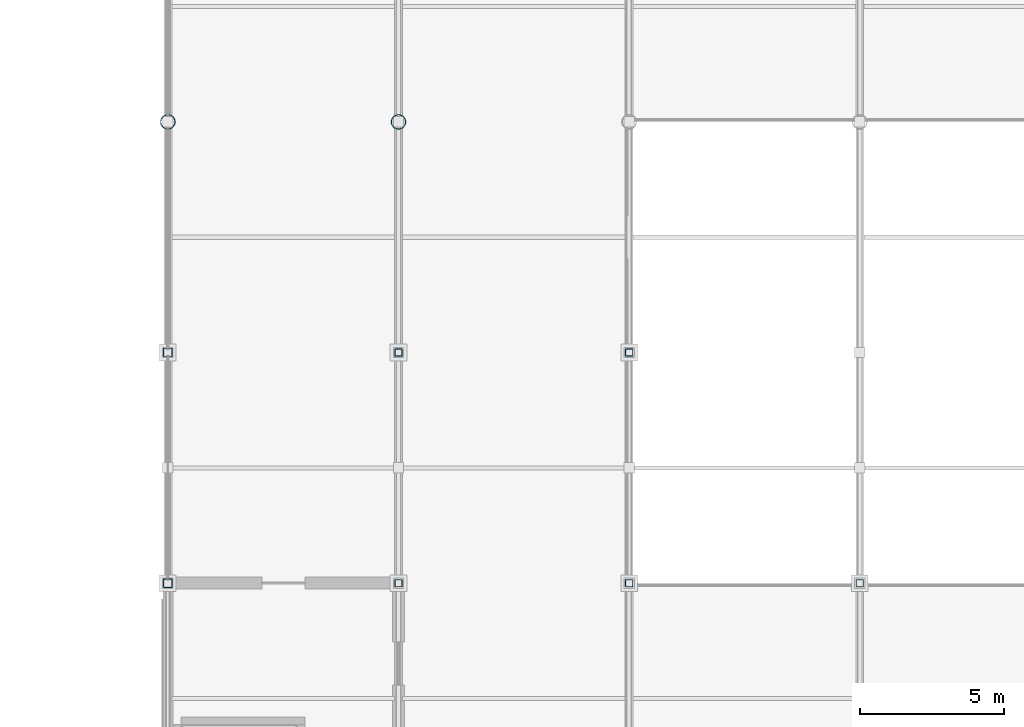
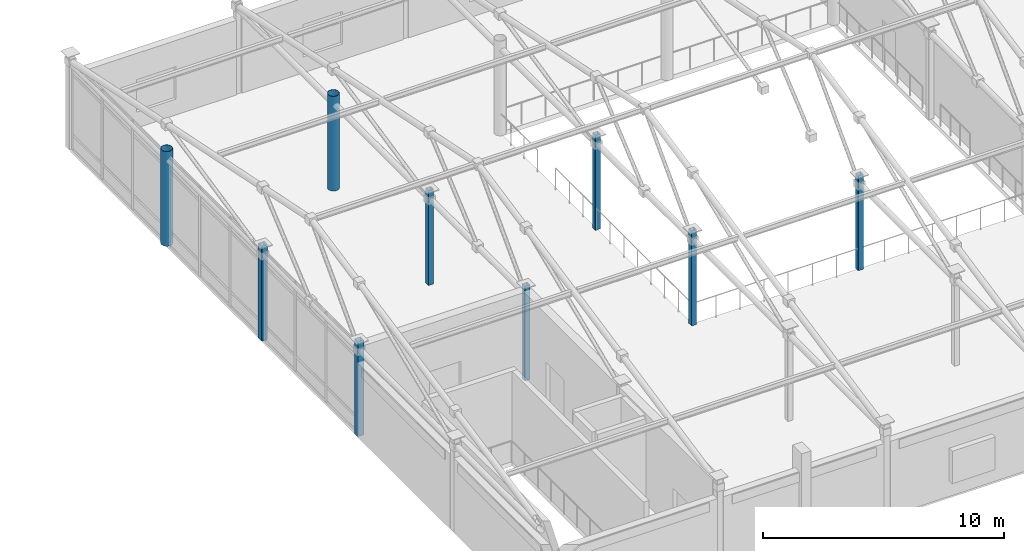
# One storey, part 2 of 117: 9 columns.
"""IFC4 building model written with IfcOpenShell, lengths in metres."""

from ifc_helpers import new_model, si_unit, direction, frame, origin, origin_2d, place, context, subcontext, project, spatial, hollow_rectangle, hollow_circle, extrude, material, material_profile, profile_set, type_object, element, save


model = new_model("IFC4")

# Units and contexts
model_context = context("Model", 3, precision=1e-05, world=origin(), true_north=direction((0.0, 1.0)))
body_context = subcontext(model_context, "Body", "Model", "MODEL_VIEW")
ifc_project = project(units=[si_unit("LENGTHUNIT", "METRE"), si_unit("AREAUNIT", "SQUARE_METRE"), si_unit("VOLUMEUNIT", "CUBIC_METRE"), si_unit("PLANEANGLEUNIT", "RADIAN"), si_unit("MASSUNIT", "GRAM", prefix="KILO")], contexts=[model_context])

# Site, building, storey
site_placement = place(None, origin())
site = spatial("IfcSite", under=ifc_project, at=site_placement, CompositionType="ELEMENT")
building_placement = place(site_placement, origin())
building = spatial("IfcBuilding", under=site, at=building_placement, Name="Solmirada Galleria", CompositionType="ELEMENT")
storey_placement = place(building_placement, frame((0.0, 0.0, 5.60009765625)))
storey = spatial("IfcBuildingStorey", under=building, at=storey_placement, Name="L01", CompositionType="ELEMENT", Elevation=5.60009765625)

# Columns
ifc_material = material(Name="Steel S355 / ASTM A500 Grade C", Category="steel")
ifc_material_profile_1 = material_profile(ifc_material, hollow_circle(Radius=0.25390625, WallThickness=0.01171875, at=origin_2d()), Name="HSS20.000X0.500")
ifc_profile_set_1 = profile_set([ifc_material_profile_1], Name="Steel S355 / ASTM A500 Grade C")
column_type_1 = type_object("IfcColumnType", Name="COL-CHS20", PredefinedType="COLUMN", material=ifc_profile_set_1)
for number, where, z_axis, x_axis, name in (
    (1, (40.0, 32.0, 0.0), (0.0, 0.0, 1.0), (1.0, 0.0, 0.0), "Structural column L01-0031"),
    (2, (48.0, 32.0, 0.0), (0.0, 0.0, 1.0), (1.0, 0.0, 0.0), "Structural column L01-0094"),
):
    element("IfcColumn", number, at=place(storey_placement, frame(where, z_axis=z_axis, x_axis=x_axis)), inside=storey, type_object=column_type_1, Name=name, PredefinedType="COLUMN", context=body_context, shape_type="SweptSolid", body=[
        extrude(hollow_circle(Radius=0.25390625, WallThickness=0.01171875, at=origin_2d()), origin(), (0.0, 0.0, 1.0), 4.7998046875),
    ])
ifc_material_profile_2 = material_profile(ifc_material, hollow_rectangle(XDim=0.25390625, YDim=0.25390625, WallThickness=0.0087890625, InnerFilletRadius=0.0087890625, OuterFilletRadius=0.017822265625, at=origin_2d()), Name="HSS10X10X3/8")
ifc_profile_set_2 = profile_set([ifc_material_profile_2], Name="Steel S355 / ASTM A500 Grade C")
column_type_2 = type_object("IfcColumnType", Name="COL-HSS10", PredefinedType="COLUMN", material=ifc_profile_set_2)
for number, where, z_axis, x_axis, name in (
    (3, (48.0, 16.0, 0.0), (0.0, 0.0, 1.0), (1.0, 0.0, 0.0), "Structural column L01-0088"),
    (4, (48.0, 24.0, 0.0), (0.0, 0.0, 1.0), (1.0, 0.0, 0.0), "Structural column L01-0091"),
    (5, (56.0, 16.0, 0.0), (0.0, 0.0, 1.0), (1.0, 0.0, 0.0), "Structural column L01-0155"),
    (6, (56.0, 24.0, 0.0), (0.0, 0.0, 1.0), (1.0, 0.0, 0.0), "Structural column L01-0158"),
    (7, (64.0, 16.0, 0.0), (0.0, 0.0, 1.0), (1.0, 0.0, 0.0), "Structural column L01-0222"),
):
    element("IfcColumn", number, at=place(storey_placement, frame(where, z_axis=z_axis, x_axis=x_axis)), inside=storey, type_object=column_type_2, Name=name, PredefinedType="COLUMN", context=body_context, shape_type="SweptSolid", body=[
        extrude(hollow_rectangle(XDim=0.25390625, YDim=0.25390625, WallThickness=0.0087890625, InnerFilletRadius=0.0087890625, OuterFilletRadius=0.017822265625, at=origin_2d()), origin(), (0.0, 0.0, 1.0), 4.7998046875),
    ])
ifc_material_profile_3 = material_profile(ifc_material, hollow_rectangle(XDim=0.304931640625, YDim=0.304931640625, WallThickness=0.01171875, InnerFilletRadius=0.01171875, OuterFilletRadius=0.023681640625, at=origin_2d()), Name="HSS12X12X1/2")
ifc_profile_set_3 = profile_set([ifc_material_profile_3], Name="Steel S355 / ASTM A500 Grade C")
column_type_3 = type_object("IfcColumnType", Name="COL-HSS12", PredefinedType="COLUMN", material=ifc_profile_set_3)
for number, where, z_axis, x_axis, name in (
    (8, (40.0, 16.0, 0.0), (0.0, 0.0, 1.0), (1.0, 0.0, 0.0), "Structural column L01-0025"),
    (9, (40.0, 24.0, 0.0), (0.0, 0.0, 1.0), (1.0, 0.0, 0.0), "Structural column L01-0028"),
):
    element("IfcColumn", number, at=place(storey_placement, frame(where, z_axis=z_axis, x_axis=x_axis)), inside=storey, type_object=column_type_3, Name=name, PredefinedType="COLUMN", context=body_context, shape_type="SweptSolid", body=[
        extrude(hollow_rectangle(XDim=0.304931640625, YDim=0.304931640625, WallThickness=0.01171875, InnerFilletRadius=0.01171875, OuterFilletRadius=0.023681640625, at=origin_2d()), origin(), (0.0, 0.0, 1.0), 4.7998046875),
    ])

save(model, "model.ifc")
